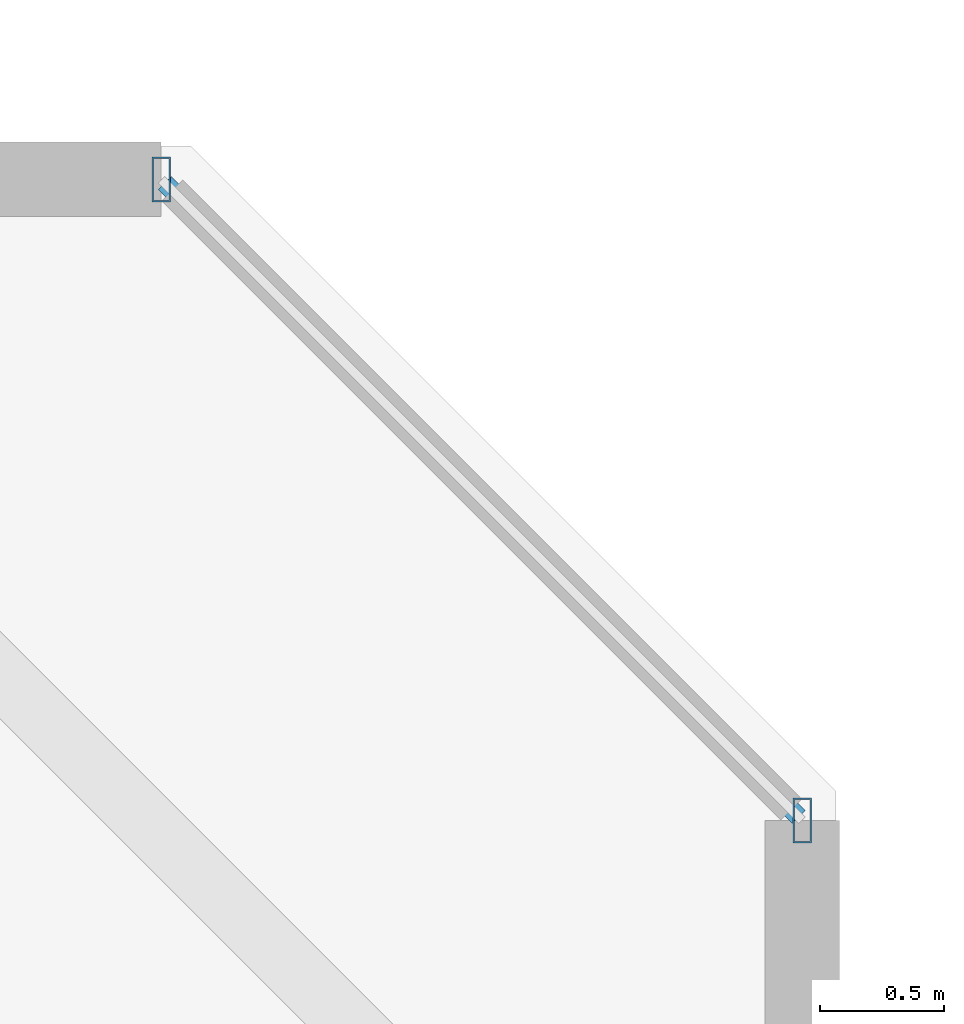
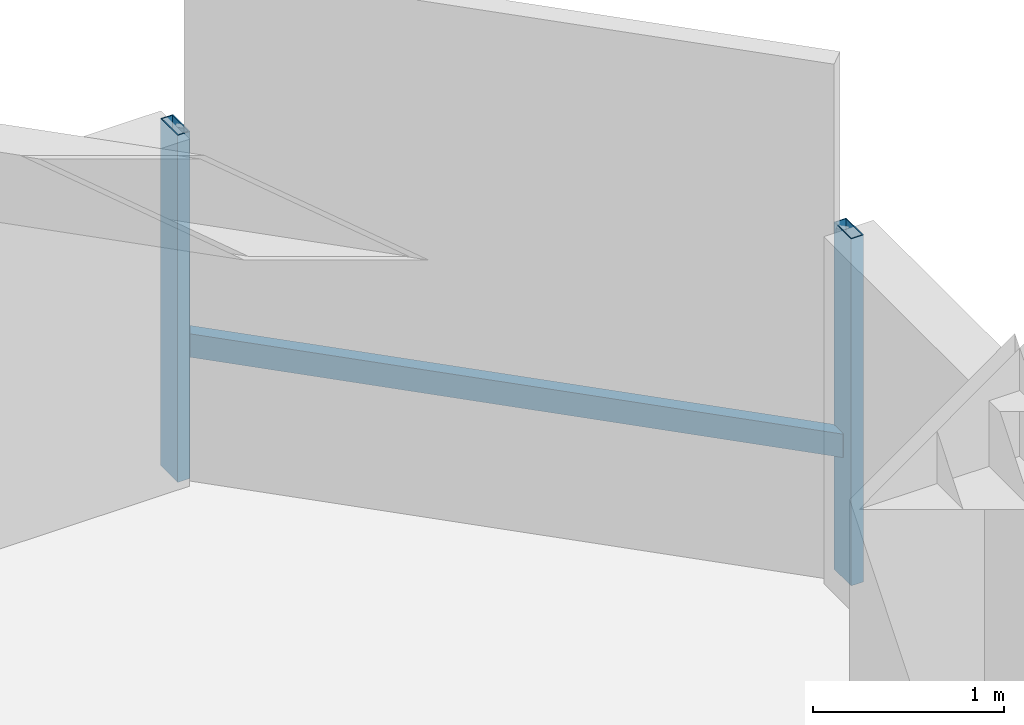
# One storey, part 17 of 35: 3 members, 1 element without a shape of its own.
"""IFC4 building model written with IfcOpenShell, lengths in metres."""

from ifc_helpers import new_model, si_unit, direction, frame, origin, origin_2d, place, context, subcontext, project, spatial, hollow_rectangle, extrude, material, material_profile, profile_set, type_object, element, aggregate, save


model = new_model("IFC4")

# Units and contexts
model_context = context("Model", 3, precision=1e-05, world=origin(), true_north=direction((0.0, 1.0)))
body_context = subcontext(model_context, "Body", "Model", "MODEL_VIEW")
ifc_project = project(units=[si_unit("LENGTHUNIT", "METRE"), si_unit("AREAUNIT", "SQUARE_METRE"), si_unit("VOLUMEUNIT", "CUBIC_METRE"), si_unit("PLANEANGLEUNIT", "RADIAN"), si_unit("MASSUNIT", "GRAM", prefix="KILO")], contexts=[model_context])

# Site, building, storey
site_placement = place(None, origin())
site = spatial("IfcSite", under=ifc_project, at=site_placement, CompositionType="ELEMENT")
building_placement = place(site_placement, origin())
building = spatial("IfcBuilding", under=site, at=building_placement, Name="Thornwick Lancets Civic Towers", CompositionType="ELEMENT")
storey_placement = place(building_placement, frame((0.0, 0.0, 225.89990234375)))
storey = spatial("IfcBuildingStorey", under=building, at=storey_placement, Name="L60", CompositionType="ELEMENT", Elevation=225.89990234375)

# Curtain wall, members
ifc_material_1 = material(Name="High-zone chamfered-corner unitised glass curtain wall", Category="glass")
curtain_wall_type = type_object("IfcCurtainWallType", Name="CW_SYS_05", PredefinedType="NOTDEFINED", material=ifc_material_1)
curtain_wall_placement = place(storey_placement, origin())
curtain_wall = element("IfcCurtainWall", 1, at=curtain_wall_placement, inside=storey, type_object=curtain_wall_type, Name="L60 Curtain Wall CW-L60-B-E3", PredefinedType="NOTDEFINED")
ifc_material_2 = material(Name="Thermally broken bronze aluminium S355", Category="steel")
ifc_material_profile_1 = material_profile(ifc_material_2, hollow_rectangle(XDim=0.074951171875, YDim=0.179931640625, WallThickness=0.006103515625, at=origin_2d()), Name="RHS 180x75x6")
ifc_profile_set_1 = profile_set([ifc_material_profile_1], Name="Thermally broken bronze aluminium S355")
member_type_1 = type_object("IfcMemberType", Name="CW_MUL_180", PredefinedType="MULLION", material=ifc_profile_set_1)
member_1_placement = place(storey_placement, frame((106.2646484375, 42.181396484375, 0.0), z_axis=(0.0, 0.0, 1.0), x_axis=(1.0, 0.0, 0.0)))
member_1 = element("IfcMember", 2, at=member_1_placement, type_object=member_type_1, Name="CW-L60-B-E3 Mullion 0", PredefinedType="MULLION", context=body_context, shape_type="SweptSolid", body=[
    extrude(hollow_rectangle(XDim=0.074951171875, YDim=0.179931640625, WallThickness=0.006103515625, at=origin_2d()), origin(), (0.0, 0.0, 1.0), 2.22021484375),
])
member_2_placement = place(storey_placement, frame((103.681396484375, 44.7646484375, 0.0), z_axis=(0.0, 0.0, 1.0), x_axis=(1.0, 0.0, 0.0)))
member_2 = element("IfcMember", 3, at=member_2_placement, type_object=member_type_1, Name="CW-L60-B-E3 Mullion 1", PredefinedType="MULLION", context=body_context, shape_type="SweptSolid", body=[
    extrude(hollow_rectangle(XDim=0.074951171875, YDim=0.179931640625, WallThickness=0.006103515625, at=origin_2d()), origin(), (0.0, 0.0, 1.0), 2.22021484375),
])
ifc_material_profile_2 = material_profile(ifc_material_2, hollow_rectangle(XDim=0.074951171875, YDim=0.14990234375, WallThickness=0.0048828125, at=origin_2d()), Name="RHS 150x75x5")
ifc_profile_set_2 = profile_set([ifc_material_profile_2], Name="Thermally broken bronze aluminium S355")
member_type_2 = type_object("IfcMemberType", Name="CW_TRN_150", PredefinedType="USERDEFINED", material=ifc_profile_set_2)
member_3_placement = place(storey_placement, frame((106.25048828125, 42.195556640625, 0.85009765625), z_axis=(-0.707106781187, 0.707106781187, 0.0), x_axis=(-0.707106781187, -0.707106781187, 0.0)))
member_3 = element("IfcMember", 4, at=member_3_placement, type_object=member_type_2, Name="CW-L60-B-E3 Transom 0", ObjectType="TRANSOM", PredefinedType="USERDEFINED", context=body_context, shape_type="SweptSolid", body=[
    extrude(hollow_rectangle(XDim=0.074951171875, YDim=0.14990234375, WallThickness=0.0048828125, at=origin_2d()), origin(), (0.0, 0.0, 1.0), 3.61328125),
])
aggregate(curtain_wall, [member_1, member_2, member_3])

save(model, "model.ifc")
